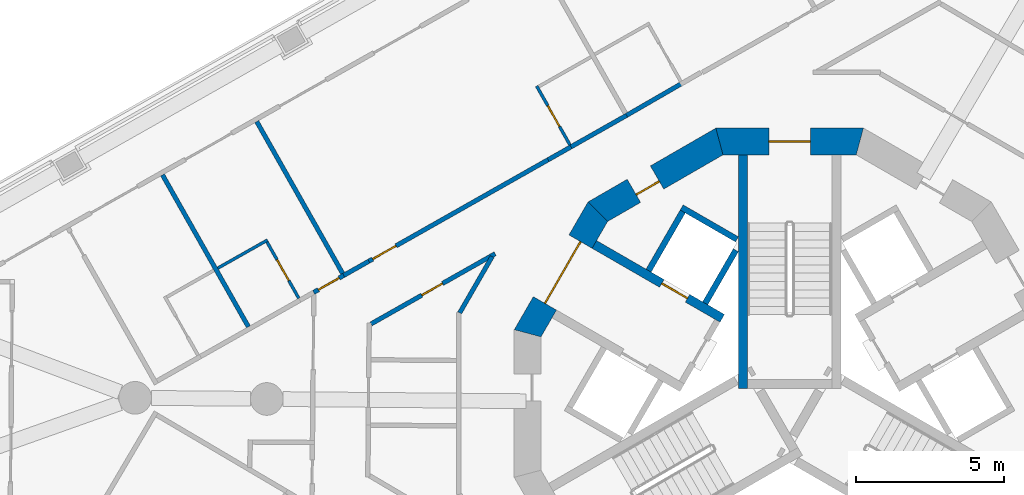
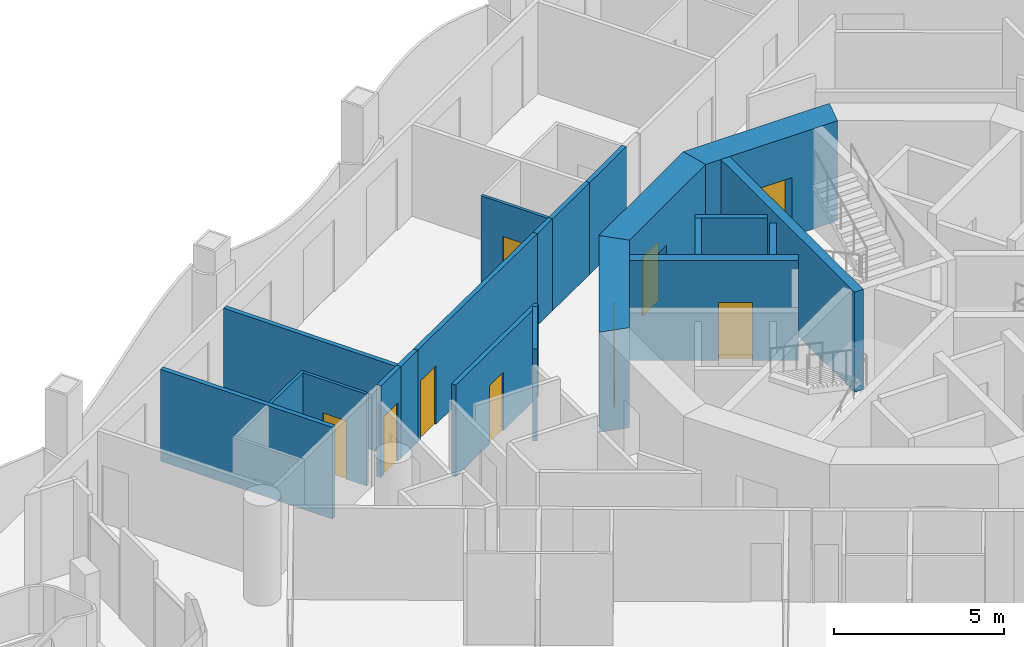
# One storey, part 7 of 17: 21 walls, 9 doors, 9 openings.
"""IFC4 building model written with IfcOpenShell, lengths in metres."""

from ifc_helpers import new_model, si_unit, direction, frame, frame_2d, origin, place, context, subcontext, project, spatial, polyline, rectangle, outline, extrude, material, layer, layer_set, type_object, element, fill, save


model = new_model("IFC4")

# Units and contexts
model_context = context("Model", 3, precision=1e-05, world=origin(), true_north=direction((0.0, 1.0)))
body_context = subcontext(model_context, "Body", "Model", "MODEL_VIEW")
ifc_project = project(units=[si_unit("LENGTHUNIT", "METRE"), si_unit("AREAUNIT", "SQUARE_METRE"), si_unit("VOLUMEUNIT", "CUBIC_METRE"), si_unit("PLANEANGLEUNIT", "RADIAN"), si_unit("MASSUNIT", "GRAM", prefix="KILO")], contexts=[model_context])

# Site, building, storey
site_placement = place(None, origin())
site = spatial("IfcSite", under=ifc_project, at=site_placement, CompositionType="ELEMENT")
building_placement = place(site_placement, origin())
building = spatial("IfcBuilding", under=site, at=building_placement, Name="Trine Commons Tower", CompositionType="ELEMENT")
storey_placement = place(building_placement, frame((0.0, 0.0, 164.699951171875)))
storey = spatial("IfcBuildingStorey", under=building, at=storey_placement, Name="L42", CompositionType="ELEMENT", Elevation=164.699951171875)

# Wall, opening, door
ifc_material_1 = material(Name="Concrete C60/75", Category="concrete")
ifc_layer_1 = layer(ifc_material_1, 0.300048828125)
ifc_layer_set_1 = layer_set([ifc_layer_1], Name="Concrete C60/75")
wall_type_1 = type_object("IfcWallType", Name="RC shear wall 300 mm, C60/75", PredefinedType="SHEAR", material=ifc_layer_set_1)
wall_1_placement = place(storey_placement, frame((77.73095703125, 65.368896484375, 0.0), z_axis=(0.0, 0.0, 1.0), x_axis=(-0.865983655544, 0.500072303102, 0.0)))
wall_1 = element("IfcWall", 1, at=wall_1_placement, inside=storey, type_object=wall_type_1, Name="Core cross wall SWB-02 L42", PredefinedType="SHEAR", context=body_context, shape_type="SweptSolid", body=[
    extrude(rectangle(XDim=4.973388671875, YDim=0.300048828125, at=frame_2d((2.48681640625, 0.0))), origin(), (0.0, 0.0, 1.0), 3.60009765625),
])
opening_1_placement = place(wall_1_placement, frame((1.3505859375, 0.0, 0.0)))
opening_1 = element("IfcOpeningElement", 2, at=opening_1_placement, cuts=wall_1, Name="Opening LD8", PredefinedType="OPENING", context=body_context, shape_type="SweptSolid", body=[
    extrude(rectangle(XDim=1.0, YDim=2.10009765625, at=frame_2d((0.5, 1.050048828125))), frame((0.0, 0.159912109375, 0.0), z_axis=(0.0, -1.0, 0.0), x_axis=(1.0, 0.0, 0.0)), (0.0, 0.0, 1.0), 0.320068359375),
])
ifc_material_2 = material(Name="Stainless steel sliding door leaves", Category="steel")
door_type_1 = type_object("IfcDoorType", Name="Lift landing door, centre-opening sliding 1000 x 2100, FD90", OperationType="DOUBLE_DOOR_SLIDING", PredefinedType="DOOR", material=ifc_material_2)
door_1_placement = place(opening_1_placement, origin())
door_1 = element("IfcDoor", 3, at=door_1_placement, inside=storey, type_object=door_type_1, Name="Lift landing door HR4 L42", OperationType="DOUBLE_DOOR_SLIDING", OverallHeight=2.10009765625, OverallWidth=1.0, PredefinedType="DOOR", context=body_context, shape_type="SweptSolid", body=[
    extrude(rectangle(XDim=1.0, YDim=2.10009765625, at=frame_2d((0.5, 1.050048828125))), frame((0.0, 0.02490234375, 0.0), z_axis=(0.0, -1.0, 0.0), x_axis=(1.0, 0.0, 0.0)), (0.0, 0.0, 1.0), 0.050048828125),
])
fill(opening_1, door_1)

# Wall
wall_2_placement = place(storey_placement, frame((78.425048828125, 63.0009765625, 0.0), z_axis=(0.0, 0.0, 1.0), x_axis=(0.0, 1.0, 0.0)))
element("IfcWall", 4, at=wall_2_placement, inside=storey, type_object=wall_type_1, Name="Core cross wall SWB-08 L42", PredefinedType="SHEAR", context=body_context, shape_type="SweptSolid", body=[
    extrude(rectangle(XDim=7.8720703125, YDim=0.300048828125, at=frame_2d((3.93603515625, 0.0))), origin(), (0.0, 0.0, 1.0), 3.60009765625),
])

# Wall, opening, door
ifc_layer_2 = layer(ifc_material_1, 0.89990234375)
ifc_layer_set_2 = layer_set([ifc_layer_2], Name="Concrete C60/75")
wall_type_2 = type_object("IfcWallType", Name="RC shear wall 900 mm, C60/75", PredefinedType="SHEAR", material=ifc_layer_set_2)
wall_3_placement = place(storey_placement, frame((82.484619140625, 71.322998046875, 0.0), z_axis=(0.0, 0.0, 1.0), x_axis=(-1.0, 0.0, 0.0)))
wall_3 = element("IfcWall", 5, at=wall_3_placement, inside=storey, type_object=wall_type_2, Name="Core wall CWE-04 L42", PredefinedType="SHEAR", context=body_context, shape_type="SweptSolid", body=[
    extrude(outline(polyline([(0.0, -0.449951171875), (4.969482421875, -0.449951171875), (4.728271484375, 0.449951171875), (0.2412109375, 0.449951171875), (0.0, -0.449951171875)])), origin(), (0.0, 0.0, 1.0), 3.60009765625),
])
opening_2_placement = place(wall_3_placement, frame((1.78466796875, 0.0, 0.0)))
opening_2 = element("IfcOpeningElement", 6, at=opening_2_placement, cuts=wall_3, Name="Opening K09.01", PredefinedType="OPENING", context=body_context, shape_type="SweptSolid", body=[
    extrude(rectangle(XDim=1.39990234375, YDim=2.10009765625, at=frame_2d((0.699951171875, 1.050048828125))), frame((0.0, 0.4599609375, 0.0), z_axis=(0.0, -1.0, 0.0), x_axis=(1.0, 0.0, 0.0)), (0.0, 0.0, 1.0), 0.919921875),
])
ifc_material_3 = material(Name="Steel door leaves, fire-rated", Category="steel")
door_type_2 = type_object("IfcDoorType", Name="Stair door, double leaf 1400 x 2100, FD90", OperationType="DOUBLE_DOOR_SINGLE_SWING", PredefinedType="DOOR", material=ifc_material_3)
door_2_placement = place(opening_2_placement, origin())
door_2 = element("IfcDoor", 7, at=door_2_placement, inside=storey, type_object=door_type_2, Name="Stair door to Exit stair ST1B L42", OperationType="DOUBLE_DOOR_SINGLE_SWING", OverallHeight=2.10009765625, OverallWidth=1.39990234375, PredefinedType="DOOR", context=body_context, shape_type="SweptSolid", body=[
    extrude(rectangle(XDim=1.39990234375, YDim=2.10009765625, at=frame_2d((0.699951171875, 1.050048828125))), frame((0.0, 0.02490234375, 0.0), z_axis=(0.0, -1.0, 0.0), x_axis=(1.0, 0.0, 0.0)), (0.0, 0.0, 1.0), 0.050048828125),
])
fill(opening_2, door_2)

wall_4_placement = place(storey_placement, frame((77.740234375, 71.38330078125, 0.0), z_axis=(0.0, 0.0, 1.0), x_axis=(-0.866003133579, -0.500038571144, 0.0)))
wall_4 = element("IfcWall", 8, at=wall_4_placement, inside=storey, type_object=wall_type_2, Name="Core wall CWE-05 L42", PredefinedType="SHEAR", context=body_context, shape_type="SweptSolid", body=[
    extrude(outline(polyline([(0.0, -0.449951171875), (4.96923828125, -0.449951171875), (4.72802734375, 0.449951171875), (0.2412109375, 0.449951171875), (0.0, -0.449951171875)])), origin(), (0.0, 0.0, 1.0), 3.60009765625),
])
opening_3_placement = place(wall_4_placement, frame((2.544921875, 0.0, 0.0)))
opening_3 = element("IfcOpeningElement", 9, at=opening_3_placement, cuts=wall_4, Name="Opening K09.12", PredefinedType="OPENING", context=body_context, shape_type="SweptSolid", body=[
    extrude(rectangle(XDim=0.89990234375, YDim=2.10009765625, at=frame_2d((0.449951171875, 1.050048828125))), frame((0.0, 0.4599609375, 0.0), z_axis=(0.0, -1.0, 0.0), x_axis=(1.0, 0.0, 0.0)), (0.0, 0.0, 1.0), 0.919921875),
])
ifc_material_4 = material(Name="Steel door leaf, fire-rated", Category="steel")
door_type_3 = type_object("IfcDoorType", Name="Core room door, single leaf 900 x 2100, FD30S", OperationType="SINGLE_SWING_LEFT", PredefinedType="DOOR", material=ifc_material_4)
door_3_placement = place(opening_3_placement, origin())
door_3 = element("IfcDoor", 10, at=door_3_placement, inside=storey, type_object=door_type_3, Name="Door to Pantry L42", OperationType="SINGLE_SWING_RIGHT", OverallHeight=2.10009765625, OverallWidth=0.89990234375, PredefinedType="DOOR", context=body_context, shape_type="SweptSolid", body=[
    extrude(rectangle(XDim=0.89990234375, YDim=2.10009765625, at=frame_2d((0.449951171875, 1.050048828125))), frame((0.0, 0.1748046875, 0.0), z_axis=(0.0, -1.0, 0.0), x_axis=(1.0, 0.0, 0.0)), (0.0, 0.0, 1.0), 0.050048828125),
])
fill(opening_3, door_3)

wall_5_placement = place(storey_placement, frame((73.6015625, 69.063232421875, 0.0), z_axis=(0.0, 0.0, 1.0), x_axis=(-0.500038571144, -0.866003133579, 0.0)))
wall_5 = element("IfcWall", 11, at=wall_5_placement, inside=storey, type_object=wall_type_2, Name="Core wall CWE-06 L42", PredefinedType="SHEAR", context=body_context, shape_type="SweptSolid", body=[
    extrude(outline(polyline([(0.0, -0.449951171875), (4.96923828125, -0.449951171875), (4.72802734375, 0.449951171875), (0.2412109375, 0.449951171875), (0.0, -0.449951171875)])), origin(), (0.0, 0.0, 1.0), 3.60009765625),
])
opening_4_placement = place(wall_5_placement, frame((1.28466796875, 0.0, 0.0)))
opening_4 = element("IfcOpeningElement", 12, at=opening_4_placement, cuts=wall_5, Name="Opening K09.06", PredefinedType="OPENING", context=body_context, shape_type="SweptSolid", body=[
    extrude(rectangle(XDim=2.39990234375, YDim=2.10009765625, at=frame_2d((1.199951171875, 1.050048828125))), frame((0.0, 0.4599609375, 0.0), z_axis=(0.0, -1.0, 0.0), x_axis=(1.0, 0.0, 0.0)), (0.0, 0.0, 1.0), 0.919921875),
])
door_type_4 = type_object("IfcDoorType", Name="Lobby door, double leaf 2400 x 2100, FD60", OperationType="DOUBLE_DOOR_SINGLE_SWING", PredefinedType="DOOR", material=ifc_material_3)
door_4_placement = place(opening_4_placement, origin())
door_4 = element("IfcDoor", 13, at=door_4_placement, inside=storey, type_object=door_type_4, Name="Lobby door, Passenger lift lobby B L42", OperationType="DOUBLE_DOOR_SINGLE_SWING", OverallHeight=2.10009765625, OverallWidth=2.39990234375, PredefinedType="DOOR", context=body_context, shape_type="SweptSolid", body=[
    extrude(rectangle(XDim=2.39990234375, YDim=2.10009765625, at=frame_2d((1.199951171875, 1.050048828125))), frame((0.0, 0.02490234375, 0.0), z_axis=(0.0, -1.0, 0.0), x_axis=(1.0, 0.0, 0.0)), (0.0, 0.0, 1.0), 0.050048828125),
])
fill(opening_4, door_4)

# Walls
ifc_material_5 = material(Name="Fire-rated gypsum shaft wall system")
ifc_layer_3 = layer(ifc_material_5, 0.199951171875)
ifc_layer_set_3 = layer_set([ifc_layer_3], Name="Fire-rated gypsum shaft wall system")
wall_type_3 = type_object("IfcWallType", Name="Shaft wall 200 mm, EI 120", PredefinedType="PARTITIONING", material=ifc_layer_set_3)
wall_6_placement = place(storey_placement, frame((75.2509765625, 66.97412109375, 0.0), z_axis=(0.0, 0.0, 1.0), x_axis=(0.500136062276, 0.86594683394, 0.0)))
element("IfcWall", 14, at=wall_6_placement, inside=storey, type_object=wall_type_3, Name="Shaft wall L42", PredefinedType="PARTITIONING", context=body_context, shape_type="SweptSolid", body=[
    extrude(rectangle(XDim=2.299072265625, YDim=0.199951171875, at=frame_2d((1.1494140625, 0.0))), origin(), (0.0, 0.0, 1.0), 3.300048828125),
])
wall_7_placement = place(storey_placement, frame((77.156005859375, 65.8740234375, 0.0), z_axis=(0.0, 0.0, 1.0), x_axis=(0.499865770674, 0.866102887253, 0.0)))
element("IfcWall", 15, at=wall_7_placement, inside=storey, type_object=wall_type_3, Name="Shaft wall L42", PredefinedType="PARTITIONING", context=body_context, shape_type="SweptSolid", body=[
    extrude(rectangle(XDim=2.064453125, YDim=0.199951171875, at=frame_2d((1.0322265625, 0.0))), origin(), (0.0, 0.0, 1.0), 3.300048828125),
])
wall_8_placement = place(storey_placement, frame((78.22509765625, 68.028076171875, 0.0), z_axis=(0.0, 0.0, 1.0), x_axis=(-0.866130725101, 0.499817533742, 0.0)))
element("IfcWall", 16, at=wall_8_placement, inside=storey, type_object=wall_type_3, Name="Shaft wall L42", PredefinedType="PARTITIONING", context=body_context, shape_type="SweptSolid", body=[
    extrude(rectangle(XDim=2.148681640625, YDim=0.199951171875, at=frame_2d((1.07421875, 0.0))), origin(), (0.0, 0.0, 1.0), 3.300048828125),
])
ifc_material_6 = material(Name="Gypsum plasterboard on steel stud", Category="steel")
ifc_layer_4 = layer(ifc_material_6, 0.14990234375)
ifc_layer_set_4 = layer_set([ifc_layer_4], Name="Gypsum plasterboard on steel stud")
wall_type_4 = type_object("IfcWallType", Name="Unit and corridor wall 150 mm, EI 60", PredefinedType="PARTITIONING", material=ifc_layer_set_4)
wall_9_placement = place(storey_placement, frame((58.8837890625, 70.197265625, 0.0), z_axis=(0.0, 0.0, 1.0), x_axis=(0.492361245758, -0.870390948756, 0.0)))
element("IfcWall", 17, at=wall_9_placement, inside=storey, type_object=wall_type_4, Name="Partition 005", PredefinedType="PARTITIONING", context=body_context, shape_type="SweptSolid", body=[
    extrude(rectangle(XDim=5.87451171875, YDim=0.14990234375, at=frame_2d((2.937255859375, 0.0))), origin(), (0.0, 0.0, 1.0), 3.300048828125),
])
wall_10_placement = place(storey_placement, frame((62.0576171875, 71.9931640625, 0.0), z_axis=(0.0, 0.0, 1.0), x_axis=(0.492391211334, -0.870373997199, 0.0)))
element("IfcWall", 18, at=wall_10_placement, inside=storey, type_object=wall_type_4, Name="Partition 015", PredefinedType="PARTITIONING", context=body_context, shape_type="SweptSolid", body=[
    extrude(rectangle(XDim=5.949462890625, YDim=0.14990234375, at=frame_2d((2.974609375, 0.0))), origin(), (0.0, 0.0, 1.0), 3.300048828125),
])

# Wall, opening, door
wall_11_placement = place(storey_placement, frame((63.97607421875, 66.242919921875, 0.0), z_axis=(0.0, 0.0, 1.0), x_axis=(0.870234820761, 0.492637145102, 0.0)))
wall_11 = element("IfcWall", 19, at=wall_11_placement, inside=storey, type_object=wall_type_4, Name="Partition 024", PredefinedType="PARTITIONING", context=body_context, shape_type="SweptSolid", body=[
    extrude(rectangle(XDim=1.1650390625, YDim=0.14990234375, at=frame_2d((0.58251953125, 0.0))), origin(), (0.0, 0.0, 1.0), 3.300048828125),
])
opening_5_placement = place(wall_11_placement, frame((0.180908203125, 0.0, 0.0)))
opening_5 = element("IfcOpeningElement", 20, at=opening_5_placement, cuts=wall_11, Name="Opening D-5A07", PredefinedType="OPENING", context=body_context, shape_type="SweptSolid", body=[
    extrude(rectangle(XDim=0.800048828125, YDim=2.10009765625, at=frame_2d((0.39990234375, 1.050048828125))), frame((0.0, 0.0849609375, 0.0), z_axis=(0.0, -1.0, 0.0), x_axis=(1.0, 0.0, 0.0)), (0.0, 0.0, 1.0), 0.169921875),
])
ifc_material_7 = material(Name="Timber fire door set", Category="wood")
door_type_5 = type_object("IfcDoorType", Name="Bedroom door 800 x 2100, FD30S", OperationType="NOTDEFINED", PredefinedType="DOOR", material=ifc_material_7)
door_5_placement = place(opening_5_placement, origin())
door_5 = element("IfcDoor", 21, at=door_5_placement, inside=storey, type_object=door_type_5, Name="Door D-5A07", OperationType="SINGLE_SWING_LEFT", OverallHeight=2.10009765625, OverallWidth=0.800048828125, PredefinedType="DOOR", context=body_context, shape_type="SweptSolid", body=[
    extrude(rectangle(XDim=0.800048828125, YDim=2.10009765625, at=frame_2d((0.39990234375, 1.050048828125))), frame((0.0, 0.02490234375, 0.0), z_axis=(0.0, -1.0, 0.0), x_axis=(1.0, 0.0, 0.0)), (0.0, 0.0, 1.0), 0.050048828125),
])
fill(opening_5, door_5)

# Wall
wall_12_placement = place(storey_placement, frame((64.98388671875, 66.81298828125, 0.0), z_axis=(0.0, 0.0, 1.0), x_axis=(0.870488073498, 0.492189510145, 0.0)))
element("IfcWall", 22, at=wall_12_placement, inside=storey, type_object=wall_type_4, Name="Partition 026", PredefinedType="PARTITIONING", context=body_context, shape_type="SweptSolid", body=[
    extrude(rectangle(XDim=0.97314453125, YDim=0.14990234375, at=frame_2d((0.486572265625, 0.0))), origin(), (0.0, 0.0, 1.0), 3.300048828125),
])

# Wall, opening, door
wall_13_placement = place(storey_placement, frame((65.8310546875, 67.2919921875, 0.0), z_axis=(0.0, 0.0, 1.0), x_axis=(0.870315513683, 0.492494575242, 0.0)))
wall_13 = element("IfcWall", 23, at=wall_13_placement, inside=storey, type_object=wall_type_4, Name="Partition 033", PredefinedType="PARTITIONING", context=body_context, shape_type="SweptSolid", body=[
    extrude(rectangle(XDim=6.93408203125, YDim=0.14990234375, at=frame_2d((3.467041015625, 0.0))), origin(), (0.0, 0.0, 1.0), 3.300048828125),
])
opening_6_placement = place(wall_13_placement, frame((0.14990234375, 0.0, 0.0)))
opening_6 = element("IfcOpeningElement", 24, at=opening_6_placement, cuts=wall_13, Name="Opening D-5A08", PredefinedType="OPENING", context=body_context, shape_type="SweptSolid", body=[
    extrude(rectangle(XDim=0.89990234375, YDim=2.10009765625, at=frame_2d((0.449951171875, 1.050048828125))), frame((0.0, 0.0849609375, 0.0), z_axis=(0.0, -1.0, 0.0), x_axis=(1.0, 0.0, 0.0)), (0.0, 0.0, 1.0), 0.169921875),
])
door_type_6 = type_object("IfcDoorType", Name="Bedroom door 900 x 2100, FD30S", OperationType="NOTDEFINED", PredefinedType="DOOR", material=ifc_material_7)
door_6_placement = place(opening_6_placement, origin())
door_6 = element("IfcDoor", 25, at=door_6_placement, inside=storey, type_object=door_type_6, Name="Door D-5A08", OperationType="SINGLE_SWING_LEFT", OverallHeight=2.10009765625, OverallWidth=0.89990234375, PredefinedType="DOOR", context=body_context, shape_type="SweptSolid", body=[
    extrude(rectangle(XDim=0.89990234375, YDim=2.10009765625, at=frame_2d((0.449951171875, 1.050048828125))), frame((0.0, 0.02490234375, 0.0), z_axis=(0.0, -1.0, 0.0), x_axis=(1.0, 0.0, 0.0)), (0.0, 0.0, 1.0), 0.050048828125),
])
fill(opening_6, door_6)

wall_14_placement = place(storey_placement, frame((65.9072265625, 65.180908203125, 0.0), z_axis=(0.0, 0.0, 1.0), x_axis=(0.870373278687, 0.492392481408, 0.0)))
wall_14 = element("IfcWall", 26, at=wall_14_placement, inside=storey, type_object=wall_type_4, Name="Partition 035", PredefinedType="PARTITIONING", context=body_context, shape_type="SweptSolid", body=[
    extrude(rectangle(XDim=4.799072265625, YDim=0.14990234375, at=frame_2d((2.3994140625, 0.0))), origin(), (0.0, 0.0, 1.0), 3.300048828125),
])
opening_7_placement = place(wall_14_placement, frame((1.9619140625, 0.0, 0.0)))
opening_7 = element("IfcOpeningElement", 27, at=opening_7_placement, cuts=wall_14, Name="Opening D-5A29", PredefinedType="OPENING", context=body_context, shape_type="SweptSolid", body=[
    extrude(rectangle(XDim=0.800048828125, YDim=2.10009765625, at=frame_2d((0.39990234375, 1.050048828125))), frame((0.0, 0.0849609375, 0.0), z_axis=(0.0, -1.0, 0.0), x_axis=(1.0, 0.0, 0.0)), (0.0, 0.0, 1.0), 0.169921875),
])
ifc_material_8 = material(Name="Painted timber", Category="wood")
door_type_7 = type_object("IfcDoorType", Name="Toilet door 800 x 2100, NOT RATED", OperationType="NOTDEFINED", PredefinedType="DOOR", material=ifc_material_8)
door_7_placement = place(opening_7_placement, frame((0.800048828125, 0.0, 0.0), z_axis=(0.0, 0.0, 1.0), x_axis=(-1.0, 0.0, 0.0)))
door_7 = element("IfcDoor", 28, at=door_7_placement, inside=storey, type_object=door_type_7, Name="Door D-5A29", OperationType="SINGLE_SWING_RIGHT", OverallHeight=2.10009765625, OverallWidth=0.800048828125, PredefinedType="DOOR", context=body_context, shape_type="SweptSolid", body=[
    extrude(rectangle(XDim=0.800048828125, YDim=2.10009765625, at=frame_2d((0.39990234375, 1.050048828125))), frame((0.0, 0.02490234375, 0.0), z_axis=(0.0, -1.0, 0.0), x_axis=(1.0, 0.0, 0.0)), (0.0, 0.0, 1.0), 0.050048828125),
])
fill(opening_7, door_7)

# Walls
wall_15_placement = place(storey_placement, frame((68.889404296875, 65.552001953125, 0.0), z_axis=(0.0, 0.0, 1.0), x_axis=(0.499825543119, 0.866126103086, 0.0)))
element("IfcWall", 29, at=wall_15_placement, inside=storey, type_object=wall_type_4, Name="Partition 039", PredefinedType="PARTITIONING", context=body_context, shape_type="SweptSolid", body=[
    extrude(rectangle(XDim=2.186767578125, YDim=0.14990234375, at=frame_2d((1.09326171875, 0.0))), origin(), (0.0, 0.0, 1.0), 3.300048828125),
])
wall_16_placement = place(storey_placement, frame((71.865966796875, 70.70703125, 0.0), z_axis=(0.0, 0.0, 1.0), x_axis=(0.870501381105, 0.492165973524, 0.0)))
element("IfcWall", 30, at=wall_16_placement, inside=storey, type_object=wall_type_4, Name="Partition 047", PredefinedType="PARTITIONING", context=body_context, shape_type="SweptSolid", body=[
    extrude(rectangle(XDim=0.887939453125, YDim=0.14990234375, at=frame_2d((0.44384765625, 0.0))), origin(), (0.0, 0.0, 1.0), 3.300048828125),
])
wall_17_placement = place(storey_placement, frame((72.638916015625, 71.14404296875, 0.0), z_axis=(0.0, 0.0, 1.0), x_axis=(0.870311041837, 0.492502477615, 0.0)))
element("IfcWall", 31, at=wall_17_placement, inside=storey, type_object=wall_type_4, Name="Partition 048", PredefinedType="PARTITIONING", context=body_context, shape_type="SweptSolid", body=[
    extrude(rectangle(XDim=2.14990234375, YDim=0.14990234375, at=frame_2d((1.074951171875, 0.0))), origin(), (0.0, 0.0, 1.0), 3.300048828125),
])
wall_18_placement = place(storey_placement, frame((74.510009765625, 72.202880859375, 0.0), z_axis=(0.0, 0.0, 1.0), x_axis=(0.865945810508, 0.500137834266, 0.0)))
element("IfcWall", 32, at=wall_18_placement, inside=storey, type_object=wall_type_4, Name="Partition 054", PredefinedType="PARTITIONING", context=body_context, shape_type="SweptSolid", body=[
    extrude(rectangle(XDim=2.15380859375, YDim=0.14990234375, at=frame_2d((1.076904296875, 0.0))), origin(), (0.0, 0.0, 1.0), 3.300048828125),
])
ifc_layer_5 = layer(ifc_material_6, 0.10009765625)
ifc_layer_set_5 = layer_set([ifc_layer_5], Name="Gypsum plasterboard on steel stud")
wall_type_5 = type_object("IfcWallType", Name="Unit partition 100 mm, no rating", PredefinedType="PARTITIONING", material=ifc_layer_set_5)
wall_19_placement = place(storey_placement, frame((60.745361328125, 67.057861328125, 0.0), z_axis=(0.0, 0.0, 1.0), x_axis=(0.870465997858, 0.492228551156, 0.0)))
element("IfcWall", 33, at=wall_19_placement, inside=storey, type_object=wall_type_5, Name="Partition 009", PredefinedType="PARTITIONING", context=body_context, shape_type="SweptSolid", body=[
    extrude(rectangle(XDim=1.925537109375, YDim=0.10009765625, at=frame_2d((0.962890625, 0.0))), origin(), (0.0, 0.0, 1.0), 3.300048828125),
])

# Wall, opening, door
wall_20_placement = place(storey_placement, frame((62.402587890625, 67.9375, 0.0), z_axis=(0.0, 0.0, 1.0), x_axis=(0.492205197529, -0.870479203385, 0.0)))
wall_20 = element("IfcWall", 34, at=wall_20_placement, inside=storey, type_object=wall_type_5, Name="Partition 016", PredefinedType="PARTITIONING", context=body_context, shape_type="SweptSolid", body=[
    extrude(rectangle(XDim=2.175048828125, YDim=0.10009765625, at=frame_2d((1.08740234375, 0.0))), origin(), (0.0, 0.0, 1.0), 3.300048828125),
])
opening_8_placement = place(wall_20_placement, frame((0.6875, 0.0, 0.0)))
opening_8 = element("IfcOpeningElement", 35, at=opening_8_placement, cuts=wall_20, Name="Opening D-5A32", PredefinedType="OPENING", context=body_context, shape_type="SweptSolid", body=[
    extrude(rectangle(XDim=0.800048828125, YDim=2.10009765625, at=frame_2d((0.39990234375, 1.050048828125))), frame((0.0, 0.06005859375, 0.0), z_axis=(0.0, -1.0, 0.0), x_axis=(1.0, 0.0, 0.0)), (0.0, 0.0, 1.0), 0.1201171875),
])
door_type_8 = type_object("IfcDoorType", Name="Internal door 800 x 2100, NOT RATED", OperationType="NOTDEFINED", PredefinedType="DOOR", material=ifc_material_8)
door_8_placement = place(opening_8_placement, origin())
door_8 = element("IfcDoor", 36, at=door_8_placement, inside=storey, type_object=door_type_8, Name="Door D-5A32", OperationType="SINGLE_SWING_LEFT", OverallHeight=2.10009765625, OverallWidth=0.800048828125, PredefinedType="DOOR", context=body_context, shape_type="SweptSolid", body=[
    extrude(rectangle(XDim=0.800048828125, YDim=2.10009765625, at=frame_2d((0.39990234375, 1.050048828125))), frame((0.0, 0.02490234375, 0.0), z_axis=(0.0, -1.0, 0.0), x_axis=(1.0, 0.0, 0.0)), (0.0, 0.0, 1.0), 0.050048828125),
])
fill(opening_8, door_8)

wall_21_placement = place(storey_placement, frame((71.482421875, 73.189453125, 0.0), z_axis=(0.0, 0.0, 1.0), x_axis=(0.492181026221, -0.870492870406, 0.0)))
wall_21 = element("IfcWall", 37, at=wall_21_placement, inside=storey, type_object=wall_type_5, Name="Partition 043", PredefinedType="PARTITIONING", context=body_context, shape_type="SweptSolid", body=[
    extrude(rectangle(XDim=2.27490234375, YDim=0.10009765625, at=frame_2d((1.137451171875, 0.0))), origin(), (0.0, 0.0, 1.0), 3.300048828125),
])
opening_9_placement = place(wall_21_placement, frame((0.762451171875, 0.0, 0.0)))
opening_9 = element("IfcOpeningElement", 38, at=opening_9_placement, cuts=wall_21, Name="Opening D-5A33", PredefinedType="OPENING", context=body_context, shape_type="SweptSolid", body=[
    extrude(rectangle(XDim=0.800048828125, YDim=2.10009765625, at=frame_2d((0.39990234375, 1.050048828125))), frame((0.0, 0.06005859375, 0.0), z_axis=(0.0, -1.0, 0.0), x_axis=(1.0, 0.0, 0.0)), (0.0, 0.0, 1.0), 0.1201171875),
])
door_9_placement = place(opening_9_placement, frame((0.800048828125, 0.0, 0.0), z_axis=(0.0, 0.0, 1.0), x_axis=(-1.0, 0.0, 0.0)))
door_9 = element("IfcDoor", 39, at=door_9_placement, inside=storey, type_object=door_type_8, Name="Door D-5A33", OperationType="SINGLE_SWING_LEFT", OverallHeight=2.10009765625, OverallWidth=0.800048828125, PredefinedType="DOOR", context=body_context, shape_type="SweptSolid", body=[
    extrude(rectangle(XDim=0.800048828125, YDim=2.10009765625, at=frame_2d((0.39990234375, 1.050048828125))), frame((0.0, 0.02490234375, 0.0), z_axis=(0.0, -1.0, 0.0), x_axis=(1.0, 0.0, 0.0)), (0.0, 0.0, 1.0), 0.050048828125),
])
fill(opening_9, door_9)

save(model, "model.ifc")
